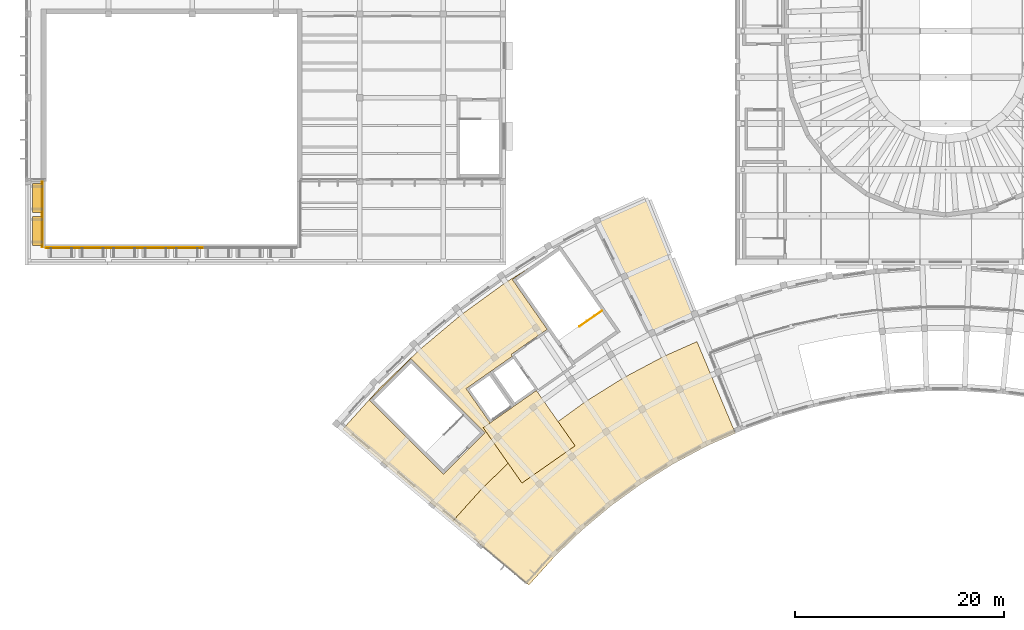
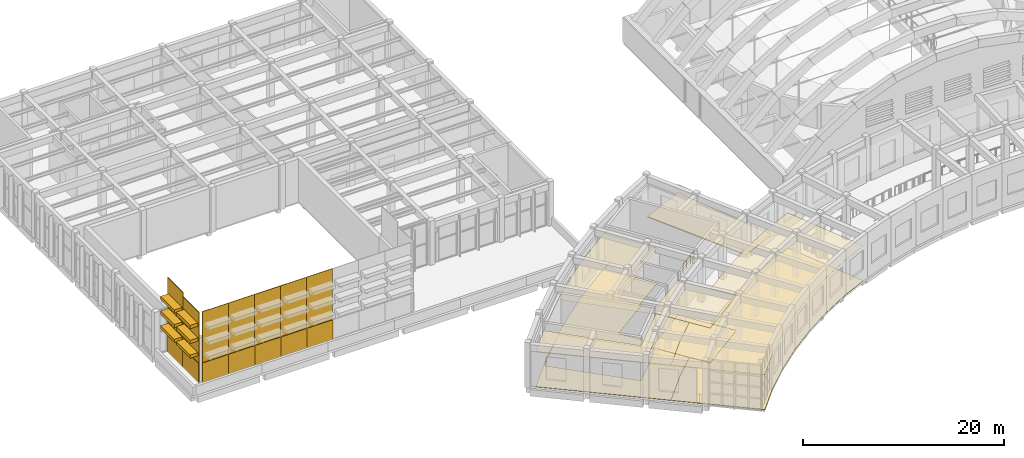
# One storey, part 82 of 94: 21 coverings, 6 shading devices, 1 railing.
"""IFC4 building model written with IfcOpenShell, lengths in metres."""

from ifc_helpers import new_model, si_unit, direction, frame, origin, origin_2d, place, context, subcontext, project, spatial, polyline, rectangle, circle, outline, extrude, material, layer, layer_set, type_object, element, save


model = new_model("IFC4")

# Units and contexts
model_context = context("Model", 3, precision=1e-05, world=origin(), true_north=direction((0.0, 1.0)))
body_context = subcontext(model_context, "Body", "Model", "MODEL_VIEW")
ifc_project = project(units=[si_unit("LENGTHUNIT", "METRE"), si_unit("AREAUNIT", "SQUARE_METRE"), si_unit("VOLUMEUNIT", "CUBIC_METRE"), si_unit("PLANEANGLEUNIT", "RADIAN"), si_unit("MASSUNIT", "GRAM", prefix="KILO")], contexts=[model_context])

# Site, building, storey
site_placement = place(None, origin())
site = spatial("IfcSite", under=ifc_project, at=site_placement, CompositionType="ELEMENT")
building_placement = place(site_placement, origin())
building = spatial("IfcBuilding", under=site, at=building_placement, Name="Lunette Opera House", CompositionType="ELEMENT")
storey_placement = place(building_placement, frame((0.0, 0.0, 22.5)))
storey = spatial("IfcBuildingStorey", under=building, at=storey_placement, Name="L04", CompositionType="ELEMENT", Elevation=22.5)

# Shading devices
ifc_material_1 = material(Name="Powder-coated aluminium", Category="aluminium")
shading_device_type = type_object("IfcShadingDeviceType", Name="BRISE-SOLEIL BLADE 900 X 400", PredefinedType="USERDEFINED", material=ifc_material_1)
for number, where, z_axis, x_axis, name in (
    (1, (9.18994140625, 67.27490234375, 3.199951171875), (0.0, 0.0, 1.0), (-1.0, 0.0, 0.0), "Brise-soleil blade loft W2 0"),
    (2, (9.18994140625, 67.27490234375, 5.0), (0.0, 0.0, 1.0), (-1.0, 0.0, 0.0), "Brise-soleil blade loft W2 0"),
    (3, (9.18994140625, 67.27490234375, 6.800048828125), (0.0, 0.0, 1.0), (-1.0, 0.0, 0.0), "Brise-soleil blade loft W2 0"),
    (4, (9.18994140625, 70.425048828125, 3.199951171875), (0.0, 0.0, 1.0), (-1.0, 0.0, 0.0), "Brise-soleil blade loft W2 1"),
    (5, (9.18994140625, 70.425048828125, 5.0), (0.0, 0.0, 1.0), (-1.0, 0.0, 0.0), "Brise-soleil blade loft W2 1"),
    (6, (9.18994140625, 70.425048828125, 6.800048828125), (0.0, 0.0, 1.0), (-1.0, 0.0, 0.0), "Brise-soleil blade loft W2 1"),
):
    element("IfcShadingDevice", number, at=place(storey_placement, frame(where, z_axis=z_axis, x_axis=x_axis)), inside=storey, type_object=shading_device_type, Name=name, ObjectType="BRISE-SOLEIL BLADE", PredefinedType="USERDEFINED", context=body_context, shape_type="SweptSolid", body=[
        extrude(rectangle(XDim=0.89990234375, YDim=2.75, at=origin_2d()), origin(), (0.0, 0.0, 1.0), 0.39990234375),
    ])

# Coverings
ifc_material_2 = material(Name="Clinker brick", Category="masonry")
ifc_layer_1 = layer(ifc_material_2, 0.114990234375)
ifc_layer_set_1 = layer_set([ifc_layer_1], Name="Clinker brick")
covering_type_1 = type_object("IfcCoveringType", Name="CLINKER CLADDING 115", PredefinedType="CLADDING", material=ifc_layer_set_1)
for number, where, z_axis, x_axis, name in (
    (7, (11.5, 65.64208984375, 0.0), (0.0, 0.0, 1.0), (1.0, 0.0, 0.0), "Loft cladding S 0"),
    (8, (14.5, 65.64208984375, 0.0), (0.0, 0.0, 1.0), (1.0, 0.0, 0.0), "Loft cladding S 1"),
    (9, (17.5, 65.64208984375, 0.0), (0.0, 0.0, 1.0), (1.0, 0.0, 0.0), "Loft cladding S 2"),
    (10, (20.5, 65.64208984375, 0.0), (0.0, 0.0, 1.0), (1.0, 0.0, 0.0), "Loft cladding S 3"),
    (11, (23.5, 65.64208984375, 0.0), (0.0, 0.0, 1.0), (1.0, 0.0, 0.0), "Loft cladding S 4"),
):
    element("IfcCovering", number, at=place(storey_placement, frame(where, z_axis=z_axis, x_axis=x_axis)), inside=storey, type_object=covering_type_1, Name=name, PredefinedType="CLADDING", context=body_context, shape_type="SweptSolid", body=[
        extrude(rectangle(XDim=3.0, YDim=0.114990234375, at=origin_2d()), origin(), (0.0, 0.0, 1.0), 2.39990234375),
    ])
for number, where, z_axis, x_axis, name in (
    (12, (9.64306640625, 67.27490234375, 0.0), (0.0, 0.0, 1.0), (0.0, 1.0, 0.0), "Loft cladding W2 0"),
    (13, (9.64306640625, 70.425048828125, 0.0), (0.0, 0.0, 1.0), (0.0, 1.0, 0.0), "Loft cladding W2 1"),
):
    element("IfcCovering", number, at=place(storey_placement, frame(where, z_axis=z_axis, x_axis=x_axis)), inside=storey, type_object=covering_type_1, Name=name, PredefinedType="CLADDING", context=body_context, shape_type="SweptSolid", body=[
        extrude(rectangle(XDim=3.14990234375, YDim=0.114990234375, at=origin_2d()), origin(), (0.0, 0.0, 1.0), 2.39990234375),
    ])
ifc_material_3 = material(Name="Bitumen membrane on mineral wool")
ifc_layer_2 = layer(ifc_material_3, 0.1201171875)
ifc_layer_set_2 = layer_set([ifc_layer_2], Name="Bitumen membrane on mineral wool")
covering_type_2 = type_object("IfcCoveringType", Name="FLAT ROOF MEMBRANE 120", PredefinedType="ROOFING", material=ifc_layer_set_2)
covering_1_placement = place(storey_placement, origin())
element("IfcCovering", 14, at=covering_1_placement, inside=storey, type_object=covering_type_2, Name="Flat roof membrane FC L03 11", PredefinedType="ROOFING", context=body_context, shape_type="SweptSolid", body=[
    extrude(outline(polyline([(67.5029296875, 70.39892578125), (71.952880859375, 59.385009765625), (67.97705078125, 57.614013671875), (62.77001953125, 68.2919921875), (67.5029296875, 70.39892578125)])), origin(), (0.0, 0.0, 1.0), 0.1201171875),
])

# Railing
ifc_material_4 = material(Name="Steel S355", Category="steel")
railing_type = type_object("IfcRailingType", Name="STAIR GUARD 1100", PredefinedType="GUARDRAIL", material=ifc_material_4)
railing_placement = place(storey_placement, frame((63.148681640625, 59.643798828125, 0.0)))
element("IfcRailing", 15, at=railing_placement, inside=storey, type_object=railing_type, Name="L04 ST2 top well guard 1", PredefinedType="GUARDRAIL", context=body_context, shape_type="SweptSolid", body=[
    extrude(circle(Radius=0.02392578125, at=origin_2d()), frame((0.0, 0.0, 1.076171875), z_axis=(-0.819196635221, -0.573512748632, 0.0), x_axis=(0.573512748632, -0.819196635221, 0.0)), (0.0, 0.0, 1.0), 2.6005859375),
    extrude(circle(Radius=0.02099609375, at=origin_2d()), origin(), (0.0, 0.0, 1.0), 1.052001953125),
    extrude(circle(Radius=0.02099609375, at=origin_2d()), frame((-0.710205078125, -0.4970703125, 0.0)), (0.0, 0.0, 1.0), 1.052001953125),
    extrude(circle(Radius=0.02099609375, at=origin_2d()), frame((-1.420166015625, -0.994384765625, 0.0)), (0.0, 0.0, 1.0), 1.052001953125),
    extrude(circle(Radius=0.02099609375, at=origin_2d()), frame((-2.13037109375, -1.491455078125, 0.0)), (0.0, 0.0, 1.0), 1.052001953125),
])

# Coverings
ifc_material_5 = material(Name="Aluminium standing seam cladding", Category="aluminium")
ifc_layer_3 = layer(ifc_material_5, 0.06005859375)
ifc_layer_set_3 = layer_set([ifc_layer_3], Name="Aluminium standing seam cladding")
covering_type_3 = type_object("IfcCoveringType", Name="STANDING SEAM CLADDING 60", PredefinedType="CLADDING", material=ifc_layer_set_3)
for number, where, z_axis, x_axis, name in (
    (16, (11.5, 65.669921875, 2.39990234375), (0.0, 0.0, 1.0), (1.0, 0.0, 0.0), "Loft cladding S 0"),
    (17, (14.5, 65.669921875, 2.39990234375), (0.0, 0.0, 1.0), (1.0, 0.0, 0.0), "Loft cladding S 1"),
    (18, (17.5, 65.669921875, 2.39990234375), (0.0, 0.0, 1.0), (1.0, 0.0, 0.0), "Loft cladding S 2"),
    (19, (20.5, 65.669921875, 2.39990234375), (0.0, 0.0, 1.0), (1.0, 0.0, 0.0), "Loft cladding S 3"),
    (20, (23.5, 65.669921875, 2.39990234375), (0.0, 0.0, 1.0), (1.0, 0.0, 0.0), "Loft cladding S 4"),
):
    element("IfcCovering", number, at=place(storey_placement, frame(where, z_axis=z_axis, x_axis=x_axis)), inside=storey, type_object=covering_type_3, Name=name, PredefinedType="CLADDING", context=body_context, shape_type="SweptSolid", body=[
        extrude(rectangle(XDim=3.0, YDim=0.06005859375, at=origin_2d()), origin(), (0.0, 0.0, 1.0), 6.199951171875),
    ])
covering_2_placement = place(storey_placement, frame((9.669921875, 67.27490234375, 2.39990234375), z_axis=(0.0, 0.0, 1.0), x_axis=(0.0, 1.0, 0.0)))
element("IfcCovering", 21, at=covering_2_placement, inside=storey, type_object=covering_type_3, Name="Loft cladding W2 0", PredefinedType="CLADDING", context=body_context, shape_type="SweptSolid", body=[
    extrude(rectangle(XDim=3.14990234375, YDim=0.06005859375, at=origin_2d()), origin(), (0.0, 0.0, 1.0), 6.199951171875),
])
covering_3_placement = place(storey_placement, frame((9.669921875, 70.425048828125, 2.3994140625), z_axis=(0.0, 0.0, 1.0), x_axis=(0.0, 1.0, 0.0)))
element("IfcCovering", 22, at=covering_3_placement, inside=storey, type_object=covering_type_3, Name="Loft cladding W2 1", PredefinedType="CLADDING", context=body_context, shape_type="SweptSolid", body=[
    extrude(rectangle(XDim=3.14990234375, YDim=0.06005859375, at=origin_2d()), origin(), (0.0, 0.0, 1.0), 6.702880859375),
])
ifc_material_6 = material(Name="Mineral fibre board")
ifc_layer_4 = layer(ifc_material_6, 0.014892578125)
ifc_layer_set_4 = layer_set([ifc_layer_4], Name="Mineral fibre board")
covering_type_4 = type_object("IfcCoveringType", Name="SUSPENDED ACOUSTIC CEILING 15", PredefinedType="CEILING", material=ifc_layer_set_4)
covering_4_placement = place(storey_placement, frame((0.0, 0.0, 4.284912109375)))
element("IfcCovering", 23, at=covering_4_placement, inside=storey, type_object=covering_type_4, Name="Ceiling Open Lift Lobby L04 West", PredefinedType="CEILING", context=body_context, shape_type="SweptSolid", body=[
    extrude(outline(polyline([(60.5859375, 46.739990234375), (56.886962890625, 52.02392578125), (51.80810546875, 48.468017578125), (55.508056640625, 43.18408203125), (60.5859375, 46.739990234375)])), origin(), (0.0, 0.0, 1.0), 0.01513671875),
])
covering_5_placement = place(storey_placement, frame((0.0, 0.0, 4.284912109375)))
element("IfcCovering", 24, at=covering_5_placement, inside=storey, type_object=covering_type_4, Name="Ceiling Restaurant Kitchen", PredefinedType="CEILING", context=body_context, shape_type="SweptSolid", body=[
    extrude(outline(polyline([(73.205078125, 46.737060546875), (70.0, 45.032958984375), (67.159912109375, 43.259033203125), (66.922119140625, 43.110107421875), (63.986083984375, 40.97705078125), (61.205078125, 38.64404296875), (58.593994140625, 36.1220703125), (57.85498046875, 35.302001953125), (56.166015625, 33.425048828125), (52.8359375, 36.218994140625), (48.887939453125, 39.531005859375), (51.760986328125, 42.720947265625), (54.18896484375, 45.06689453125), (55.508056640625, 43.18408203125), (60.5859375, 46.739990234375), (58.9609375, 49.06103515625), (61.610107421875, 50.986083984375), (65.25, 53.260986328125), (69.0400390625, 55.27587890625), (72.23291015625, 56.697998046875), (75.904052734375, 47.93994140625), (74.52197265625, 47.323974609375), (73.205078125, 46.737060546875)])), origin(), (0.0, 0.0, 1.0), 0.01513671875),
])
covering_6_placement = place(storey_placement, frame((0.0, 0.0, 4.284912109375)))
element("IfcCovering", 25, at=covering_6_placement, inside=storey, type_object=covering_type_4, Name="Ceiling Restaurant Rear", PredefinedType="CEILING", context=body_context, shape_type="SweptSolid", body=[
    extrude(outline(polyline([(51.80810546875, 48.468017578125), (54.18896484375, 45.06689453125), (51.760986328125, 42.720947265625), (48.887939453125, 39.531005859375), (46.972900390625, 41.137939453125), (38.39404296875, 48.337890625), (41.906005859375, 52.238037109375), (45.680908203125, 55.884033203125), (49.701904296875, 59.258056640625), (53.948974609375, 62.343994140625), (56.18603515625, 63.741943359375), (54.591064453125, 62.625), (57.91796875, 57.8740234375), (54.47705078125, 55.464111328125), (54.592041015625, 55.300048828125), (52.462890625, 53.80908203125), (50.1689453125, 52.202880859375), (52.462890625, 48.927001953125), (51.80810546875, 48.468017578125)]), holes=[polyline([(51.98291015625, 47.97705078125), (44.912109375, 55.048095703125), (40.951904296875, 51.087890625), (48.02294921875, 44.01708984375), (51.98291015625, 47.97705078125)])]), origin(), (0.0, 0.0, 1.0), 0.01513671875),
])
ifc_material_7 = material(Name="Terrazzo")
ifc_layer_5 = layer(ifc_material_7, 0.06005859375)
ifc_layer_set_5 = layer_set([ifc_layer_5], Name="Terrazzo")
covering_type_5 = type_object("IfcCoveringType", Name="TERRAZZO FLOOR FINISH 60", PredefinedType="FLOORING", material=ifc_layer_set_5)
covering_7_placement = place(storey_placement, origin())
element("IfcCovering", 26, at=covering_7_placement, inside=storey, type_object=covering_type_5, Name="Floor finish Open Lift Lobby L04 West", PredefinedType="FLOORING", context=body_context, shape_type="SweptSolid", body=[
    extrude(outline(polyline([(60.5859375, 46.739990234375), (56.886962890625, 52.02392578125), (51.80810546875, 48.468017578125), (55.508056640625, 43.18408203125), (60.5859375, 46.739990234375)])), origin(), (0.0, 0.0, 1.0), 0.06005859375),
])
ifc_material_8 = material(Name="Timber", Category="wood")
ifc_layer_6 = layer(ifc_material_8, 0.0400390625)
ifc_layer_set_6 = layer_set([ifc_layer_6], Name="Timber")
covering_type_6 = type_object("IfcCoveringType", Name="TIMBER FLOOR FINISH 40", PredefinedType="FLOORING", material=ifc_layer_set_6)
covering_8_placement = place(storey_placement, origin())
element("IfcCovering", 27, at=covering_8_placement, inside=storey, type_object=covering_type_6, Name="Floor finish Restaurant Kitchen", PredefinedType="FLOORING", context=body_context, shape_type="SweptSolid", body=[
    extrude(outline(polyline([(73.205078125, 46.737060546875), (70.0, 45.032958984375), (67.159912109375, 43.259033203125), (66.922119140625, 43.110107421875), (63.986083984375, 40.97705078125), (61.205078125, 38.64404296875), (58.593994140625, 36.1220703125), (57.85498046875, 35.302001953125), (56.166015625, 33.425048828125), (52.8359375, 36.218994140625), (48.887939453125, 39.531005859375), (51.760986328125, 42.720947265625), (54.18896484375, 45.06689453125), (55.508056640625, 43.18408203125), (60.5859375, 46.739990234375), (58.9609375, 49.06103515625), (61.610107421875, 50.986083984375), (65.25, 53.260986328125), (69.0400390625, 55.27587890625), (72.23291015625, 56.697998046875), (75.904052734375, 47.93994140625), (74.52197265625, 47.323974609375), (73.205078125, 46.737060546875)])), origin(), (0.0, 0.0, 1.0), 0.0400390625),
])
covering_9_placement = place(storey_placement, origin())
element("IfcCovering", 28, at=covering_9_placement, inside=storey, type_object=covering_type_6, Name="Floor finish Restaurant Rear", PredefinedType="FLOORING", context=body_context, shape_type="SweptSolid", body=[
    extrude(outline(polyline([(51.80810546875, 48.468017578125), (54.18896484375, 45.06689453125), (51.760986328125, 42.720947265625), (48.887939453125, 39.531005859375), (46.972900390625, 41.137939453125), (38.39404296875, 48.337890625), (41.906005859375, 52.238037109375), (45.680908203125, 55.884033203125), (49.701904296875, 59.258056640625), (53.948974609375, 62.343994140625), (56.18603515625, 63.741943359375), (54.591064453125, 62.625), (57.91796875, 57.8740234375), (54.47705078125, 55.464111328125), (54.592041015625, 55.300048828125), (52.462890625, 53.80908203125), (50.1689453125, 52.202880859375), (52.462890625, 48.927001953125), (51.80810546875, 48.468017578125)]), holes=[polyline([(51.98291015625, 47.97705078125), (44.912109375, 55.048095703125), (40.951904296875, 51.087890625), (48.02294921875, 44.01708984375), (51.98291015625, 47.97705078125)])]), origin(), (0.0, 0.0, 1.0), 0.0400390625),
])

save(model, "model.ifc")
